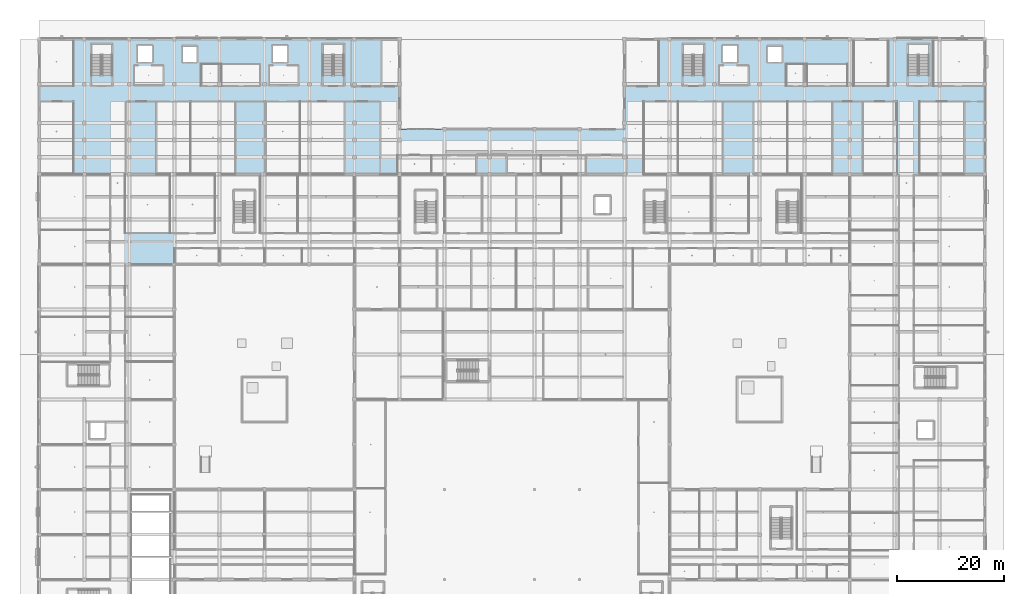
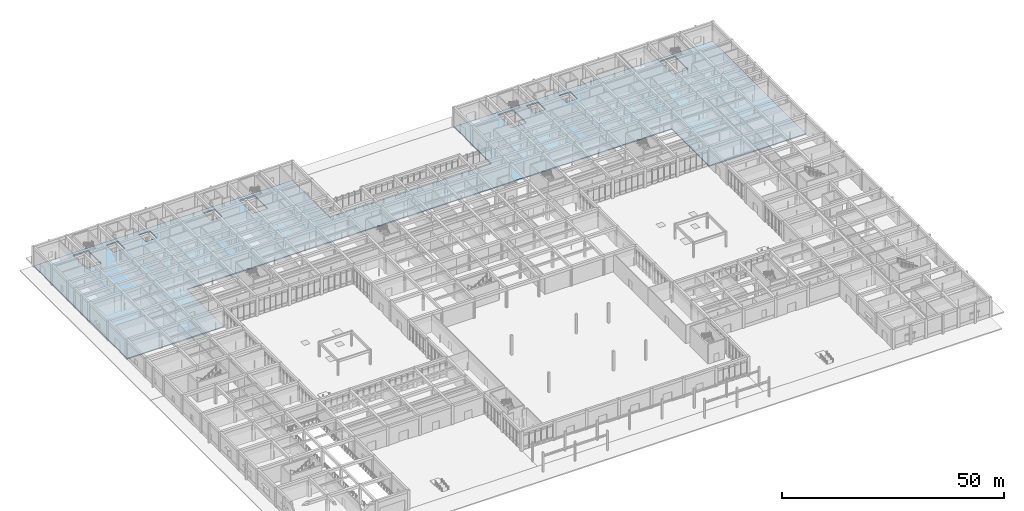
# One storey, part 55 of 167: 1 slab.
"""IFC4 building model written with IfcOpenShell, lengths in metres."""

from ifc_helpers import new_model, si_unit, direction, frame, origin, place, context, subcontext, project, spatial, polyline, outline, extrude, material, layer, layer_set, type_object, element, save


model = new_model("IFC4")

# Units and contexts
model_context = context("Model", 3, precision=1e-05, world=origin(), true_north=direction((0.0, 1.0)))
body_context = subcontext(model_context, "Body", "Model", "MODEL_VIEW")
ifc_project = project(units=[si_unit("LENGTHUNIT", "METRE"), si_unit("AREAUNIT", "SQUARE_METRE"), si_unit("VOLUMEUNIT", "CUBIC_METRE"), si_unit("PLANEANGLEUNIT", "RADIAN"), si_unit("MASSUNIT", "GRAM", prefix="KILO")], contexts=[model_context])

# Site, building, storey
site_placement = place(None, origin())
site = spatial("IfcSite", under=ifc_project, at=site_placement, CompositionType="ELEMENT")
building_placement = place(site_placement, origin())
building = spatial("IfcBuilding", under=site, at=building_placement, Name="Varncliffe General Hospital", CompositionType="ELEMENT")
storey_placement = place(building_placement, origin())
storey = spatial("IfcBuildingStorey", under=building, at=storey_placement, Name="L00", CompositionType="ELEMENT", Elevation=0.0)

# Slab
ifc_material = material(Name="Concrete C35/45 (CSA A23.1 35 MPa)", Category="concrete")
ifc_layer = layer(ifc_material, 0.2900390625)
ifc_layer_set = layer_set([ifc_layer], Name="Concrete C35/45 (CSA A23.1 35 MPa)")
slab_type = type_object("IfcSlabType", Name="Floor Slab SL44 (Int 290mm)", PredefinedType="FLOOR", material=ifc_layer_set)
slab_placement = place(storey_placement, frame((0.0, 0.0, -0.2900390625)))
element("IfcSlab", 1, at=slab_placement, inside=storey, type_object=slab_type, Name="L00 V6 Structural Floor Slab 1", PredefinedType="FLOOR", context=body_context, shape_type="SweptSolid", body=[
    extrude(outline(polyline([(0.0, 99.60009765625), (0.0, 124.800048828125), (67.199951171875, 124.800048828125), (67.199951171875, 108.0), (109.199951171875, 108.0), (109.199951171875, 124.800048828125), (176.39990234375, 124.800048828125), (176.39990234375, 99.60009765625), (176.39990234375, 82.800048828125), (151.199951171875, 82.800048828125), (151.199951171875, 99.60009765625), (109.199951171875, 99.60009765625), (67.199951171875, 99.60009765625), (25.199951171875, 99.60009765625), (25.199951171875, 82.800048828125), (0.0, 82.800048828125), (0.0, 99.60009765625)]), holes=[polyline([(13.60009765625, 118.0), (13.60009765625, 123.949951171875), (9.699951171875, 123.949951171875), (9.699951171875, 118.0), (13.60009765625, 118.0)]), polyline([(56.800048828125, 118.0), (56.800048828125, 123.949951171875), (52.89990234375, 123.949951171875), (52.89990234375, 118.0), (56.800048828125, 118.0)]), polyline([(124.0, 118.0), (124.0, 123.949951171875), (120.10009765625, 123.949951171875), (120.10009765625, 118.0), (124.0, 118.0)]), polyline([(166.0, 118.0), (166.0, 123.949951171875), (162.10009765625, 123.949951171875), (162.10009765625, 118.0), (166.0, 118.0)]), polyline([(18.199951171875, 120.39990234375), (21.199951171875, 120.39990234375), (21.199951171875, 123.699951171875), (18.199951171875, 123.699951171875), (18.199951171875, 120.39990234375)]), polyline([(43.39990234375, 120.39990234375), (46.39990234375, 120.39990234375), (46.39990234375, 123.699951171875), (43.39990234375, 123.699951171875), (43.39990234375, 120.39990234375)]), polyline([(127.39990234375, 120.39990234375), (130.39990234375, 120.39990234375), (130.39990234375, 123.699951171875), (127.39990234375, 123.699951171875), (127.39990234375, 120.39990234375)]), polyline([(26.60009765625, 120.39990234375), (29.5, 120.39990234375), (29.5, 123.60009765625), (26.60009765625, 123.60009765625), (26.60009765625, 120.39990234375)]), polyline([(135.800048828125, 120.39990234375), (138.699951171875, 120.39990234375), (138.699951171875, 123.60009765625), (135.800048828125, 123.60009765625), (135.800048828125, 120.39990234375)])]), origin(), (0.0, 0.0, 1.0), 0.2900390625),
])

save(model, "model.ifc")
